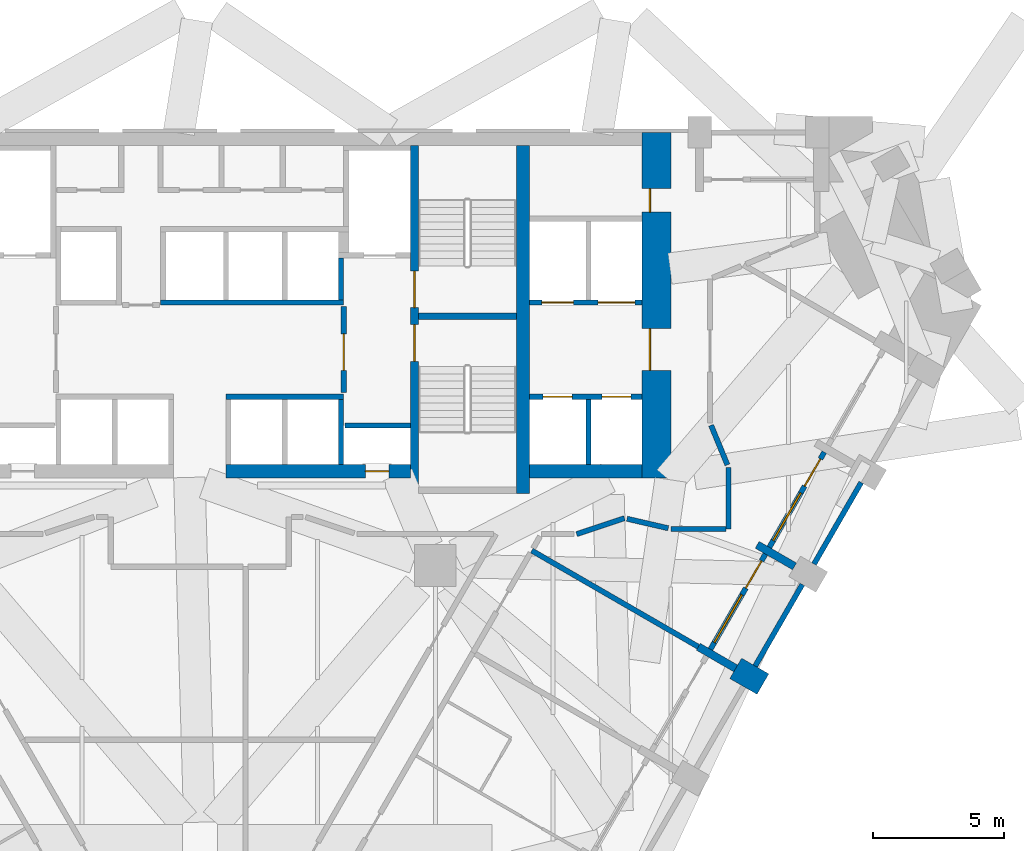
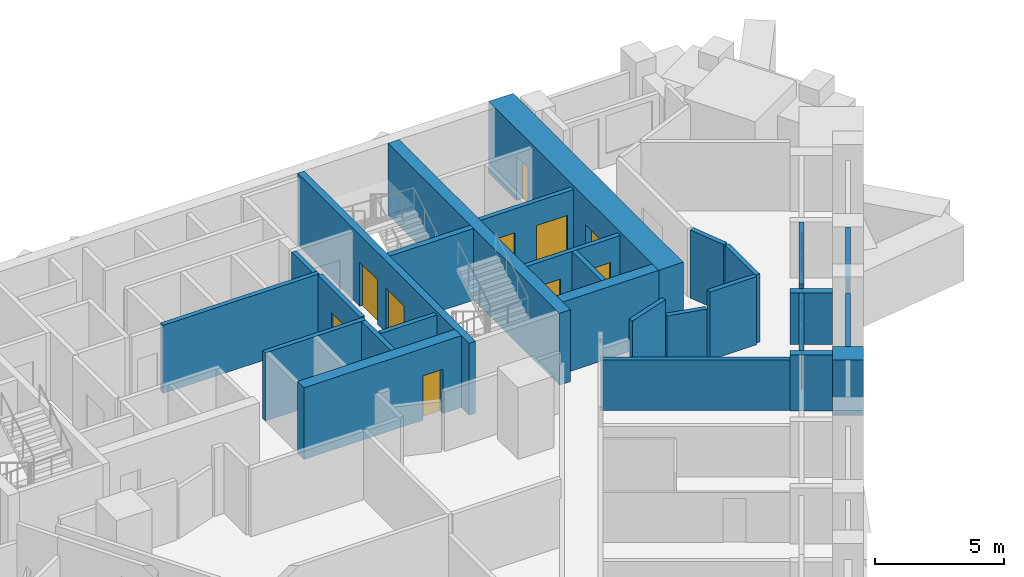
# One storey, part 9 of 12: 28 walls, 12 doors, 2 windows, 14 openings.
"""IFC4 building model written with IfcOpenShell, lengths in metres."""

from ifc_helpers import new_model, si_unit, direction, frame, frame_2d, origin, place, context, subcontext, project, spatial, polyline, rectangle, outline, extrude, material, layer, layer_set, type_object, element, fill, save


model = new_model("IFC4")

# Units and contexts
model_context = context("Model", 3, precision=1e-05, world=origin(), true_north=direction((0.0, 1.0)))
body_context = subcontext(model_context, "Body", "Model", "MODEL_VIEW")
ifc_project = project(units=[si_unit("LENGTHUNIT", "METRE"), si_unit("AREAUNIT", "SQUARE_METRE"), si_unit("VOLUMEUNIT", "CUBIC_METRE"), si_unit("PLANEANGLEUNIT", "RADIAN"), si_unit("MASSUNIT", "GRAM", prefix="KILO")], contexts=[model_context])

# Site, building, storey
site_placement = place(None, origin())
site = spatial("IfcSite", under=ifc_project, at=site_placement, CompositionType="ELEMENT")
building_placement = place(site_placement, origin())
building = spatial("IfcBuilding", under=site, at=building_placement, Name="Calabash Gate Tower", CompositionType="ELEMENT")
storey_placement = place(building_placement, frame((0.0, 0.0, 46.0)))
storey = spatial("IfcBuildingStorey", under=building, at=storey_placement, Name="L06", CompositionType="ELEMENT", Elevation=46.0)

# Walls
ifc_material_1 = material(Name="Terracotta brick masonry, exposed face", Category="masonry")
ifc_layer_1 = layer(ifc_material_1, 1.199951171875)
ifc_layer_set_1 = layer_set([ifc_layer_1], Name="Brick end wall 1200")
wall_type_1 = type_object("IfcWallType", Name="Brick end wall 1200", PredefinedType="SOLIDWALL", material=ifc_layer_set_1)
wall_1_placement = place(storey_placement, frame((21.51953125, -2.031982421875, 0.0), z_axis=(0.0, 0.0, 1.0), x_axis=(-0.866043267704, 0.499969057507, 0.0)))
element("IfcWall", 1, at=wall_1_placement, inside=storey, type_object=wall_type_1, Name="Brick pier S01 SE2.7", PredefinedType="SOLIDWALL", context=body_context, shape_type="SweptSolid", body=[
    extrude(rectangle(XDim=1.19970703125, YDim=0.89990234375, at=frame_2d((0.599853515625, 0.0))), origin(), (0.0, 0.0, 1.0), 2.6298828125),
])
ifc_material_2 = material(Name="Terracotta brick masonry, exposed face", Category="masonry")
ifc_layer_2 = layer(ifc_material_2, 0.300048828125)
ifc_layer_set_2 = layer_set([ifc_layer_2], Name="Brick loggia cheek wall 300")
wall_type_2 = type_object("IfcWallType", Name="Brick loggia cheek wall 300", PredefinedType="SOLIDWALL", material=ifc_layer_set_2)
wall_2_placement = place(storey_placement, frame((20.48046875, -1.43212890625, 0.0), z_axis=(0.0, 0.0, 1.0), x_axis=(-0.865976140824, 0.500085316245, 0.0)))
element("IfcWall", 2, at=wall_2_placement, inside=storey, type_object=wall_type_2, Name="Loggia cheek S01 SE2.7", PredefinedType="SOLIDWALL", context=body_context, shape_type="SweptSolid", body=[
    extrude(rectangle(XDim=1.650146484375, YDim=0.300048828125, at=frame_2d((0.8251953125, 0.0))), origin(), (0.0, 0.0, 1.0), 2.64990234375),
])
wall_3_placement = place(storey_placement, frame((21.301513671875, 3.2900390625, 0.0), z_axis=(0.0, 0.0, 1.0), x_axis=(0.866020385251, -0.500008692254, 0.0)))
element("IfcWall", 3, at=wall_3_placement, inside=storey, type_object=wall_type_2, Name="Loggia cheek S01 SE2.8", PredefinedType="SOLIDWALL", context=body_context, shape_type="SweptSolid", body=[
    extrude(rectangle(XDim=1.64892578125, YDim=0.300048828125, at=frame_2d((0.824462890625, 0.0))), origin(), (0.0, 0.0, 1.0), 2.4501953125),
])

# Wall, openings, doors
ifc_material_3 = material(Name="Concrete C80/95", Category="concrete")
ifc_layer_3 = layer(ifc_material_3, 1.10009765625)
ifc_layer_set_3 = layer_set([ifc_layer_3], Name="Core wall 1100 Concrete C80/95")
wall_type_3 = type_object("IfcWallType", Name="Core wall 1100 Concrete C80/95", PredefinedType="SHEAR", material=ifc_layer_set_3)
wall_4_placement = place(storey_placement, frame((17.449951171875, 5.8525390625, 0.0), z_axis=(0.0, 0.0, 1.0), x_axis=(0.0, 1.0, 0.0)))
wall_4 = element("IfcWall", 4, at=wall_4_placement, inside=storey, type_object=wall_type_3, Name="Core wall Z1-ENDE L06", PredefinedType="SHEAR", context=body_context, shape_type="SweptSolid", body=[
    extrude(rectangle(XDim=13.199951171875, YDim=1.10009765625, at=frame_2d((6.60009765625, 0.0))), origin(), (0.0, 0.0, 1.0), 3.39990234375),
])
opening_1_placement = place(wall_4_placement, frame((4.10009765625, 0.0, 0.0)))
opening_1 = element("IfcOpeningElement", 5, at=opening_1_placement, cuts=wall_4, Name="Opening H1-002", PredefinedType="OPENING", context=body_context, shape_type="SweptSolid", body=[
    extrude(rectangle(XDim=1.60009765625, YDim=2.10009765625, at=frame_2d((0.800048828125, 1.050048828125))), frame((0.0, 0.56005859375, 0.0), z_axis=(0.0, -1.0, 0.0), x_axis=(1.0, 0.0, 0.0)), (0.0, 0.0, 1.0), 1.1201171875),
])
opening_2_placement = place(wall_4_placement, frame((10.14990234375, 0.0, 0.0)))
opening_2 = element("IfcOpeningElement", 6, at=opening_2_placement, cuts=wall_4, Name="Opening H1-001", PredefinedType="OPENING", context=body_context, shape_type="SweptSolid", body=[
    extrude(rectangle(XDim=0.89990234375, YDim=2.10009765625, at=frame_2d((0.449951171875, 1.050048828125))), frame((0.0, 0.56005859375, 0.0), z_axis=(0.0, -1.0, 0.0), x_axis=(1.0, 0.0, 0.0)), (0.0, 0.0, 1.0), 1.1201171875),
])
ifc_material_4 = material(Name="Steel fire door set with fire-resisting glazing", Category="steel")
door_type_1 = type_object("IfcDoorType", Name="Double fire door D08 1600x2100 FD60", OperationType="DOUBLE_DOOR_SINGLE_SWING", PredefinedType="DOOR", material=ifc_material_4)
door_1_placement = place(opening_1_placement, origin())
door_1 = element("IfcDoor", 7, at=door_1_placement, inside=storey, type_object=door_type_1, Name="Low-rise Lift Lobby E door", OperationType="DOUBLE_DOOR_SINGLE_SWING", OverallHeight=2.10009765625, OverallWidth=1.60009765625, PredefinedType="DOOR", context=body_context, shape_type="SweptSolid", body=[
    extrude(rectangle(XDim=1.60009765625, YDim=2.10009765625, at=frame_2d((0.800048828125, 1.050048828125))), frame((0.0, 0.27490234375, 0.0), z_axis=(0.0, -1.0, 0.0), x_axis=(1.0, 0.0, 0.0)), (0.0, 0.0, 1.0), 0.050048828125),
])
fill(opening_1, door_1)
ifc_material_5 = material(Name="Steel fire door set with fire-resisting glazing", Category="steel")
door_type_2 = type_object("IfcDoorType", Name="Fire door D06 900x2100 FD60", OperationType="NOTDEFINED", PredefinedType="DOOR", material=ifc_material_5)
door_2_placement = place(opening_2_placement, origin())
door_2 = element("IfcDoor", 8, at=door_2_placement, inside=storey, type_object=door_type_2, Name="Cleaner's Store door", OperationType="SINGLE_SWING_LEFT", OverallHeight=2.10009765625, OverallWidth=0.89990234375, PredefinedType="DOOR", context=body_context, shape_type="SweptSolid", body=[
    extrude(rectangle(XDim=0.89990234375, YDim=2.10009765625, at=frame_2d((0.449951171875, 1.050048828125))), frame((0.0, 0.27490234375, 0.0), z_axis=(0.0, -1.0, 0.0), x_axis=(1.0, 0.0, 0.0)), (0.0, 0.0, 1.0), 0.050048828125),
])
fill(opening_2, door_2)

# Wall
ifc_material_6 = material(Name="Concrete C80/95", Category="concrete")
ifc_layer_4 = layer(ifc_material_6, 0.25)
ifc_layer_set_4 = layer_set([ifc_layer_4], Name="Core wall 250 Concrete C80/95")
wall_type_4 = type_object("IfcWallType", Name="Core wall 250 Concrete C80/95", PredefinedType="SHEAR", material=ifc_layer_set_4)
wall_5_placement = place(storey_placement, frame((8.35009765625, 12.027587890625, 0.0), z_axis=(0.0, 0.0, 1.0), x_axis=(1.0, 0.0, 0.0)))
element("IfcWall", 9, at=wall_5_placement, inside=storey, type_object=wall_type_4, Name="Core wall Z1-MIDE L06", PredefinedType="SHEAR", context=body_context, shape_type="SweptSolid", body=[
    extrude(rectangle(XDim=3.75, YDim=0.25, at=frame_2d((1.875, 0.0))), origin(), (0.0, 0.0, 1.0), 3.39990234375),
])

# Wall, openings, doors
ifc_material_7 = material(Name="Concrete C80/95", Category="concrete")
ifc_layer_5 = layer(ifc_material_7, 0.300048828125)
ifc_layer_set_5 = layer_set([ifc_layer_5], Name="Core wall 300 Concrete C80/95")
wall_type_5 = type_object("IfcWallType", Name="Core wall 300 Concrete C80/95", PredefinedType="SHEAR", material=ifc_layer_set_5)
wall_6_placement = place(storey_placement, frame((8.199951171875, 5.252685546875, 0.0), z_axis=(0.0, 0.0, 1.0), x_axis=(0.0, 1.0, 0.0)))
wall_6 = element("IfcWall", 10, at=wall_6_placement, inside=storey, type_object=wall_type_5, Name="Core wall Z1-PARTE L06", PredefinedType="SHEAR", context=body_context, shape_type="SweptSolid", body=[
    extrude(rectangle(XDim=13.2998046875, YDim=0.300048828125, at=frame_2d((6.64990234375, 0.0))), origin(), (0.0, 0.0, 1.0), 3.39990234375),
])
opening_3_placement = place(wall_6_placement, frame((7.10009765625, 0.0, 0.0)))
opening_3 = element("IfcOpeningElement", 11, at=opening_3_placement, cuts=wall_6, Name="Opening H1-016", PredefinedType="OPENING", context=body_context, shape_type="SweptSolid", body=[
    extrude(rectangle(XDim=1.39990234375, YDim=2.10009765625, at=frame_2d((0.699951171875, 1.050048828125))), frame((0.0, 0.159912109375, 0.0), z_axis=(0.0, -1.0, 0.0), x_axis=(1.0, 0.0, 0.0)), (0.0, 0.0, 1.0), 0.320068359375),
])
opening_4_placement = place(wall_6_placement, frame((5.050048828125, 0.0, 0.0)))
opening_4 = element("IfcOpeningElement", 12, at=opening_4_placement, cuts=wall_6, Name="Opening H1-017", PredefinedType="OPENING", context=body_context, shape_type="SweptSolid", body=[
    extrude(rectangle(XDim=1.39990234375, YDim=2.10009765625, at=frame_2d((0.699951171875, 1.050048828125))), frame((0.0, 0.159912109375, 0.0), z_axis=(0.0, -1.0, 0.0), x_axis=(1.0, 0.0, 0.0)), (0.0, 0.0, 1.0), 0.320068359375),
])
ifc_material_8 = material(Name="Steel fire door set with fire-resisting glazing", Category="steel")
door_type_3 = type_object("IfcDoorType", Name="Fire door D05 1400x2100 FD90", OperationType="NOTDEFINED", PredefinedType="DOOR", material=ifc_material_8)
door_3_placement = place(opening_3_placement, origin())
door_3 = element("IfcDoor", 13, at=door_3_placement, inside=storey, type_object=door_type_3, Name="Exit stair door ST3", OperationType="SINGLE_SWING_RIGHT", OverallHeight=2.10009765625, OverallWidth=1.39990234375, PredefinedType="DOOR", context=body_context, shape_type="SweptSolid", body=[
    extrude(rectangle(XDim=1.39990234375, YDim=2.10009765625, at=frame_2d((0.699951171875, 1.050048828125))), frame((0.0, 0.02490234375, 0.0), z_axis=(0.0, -1.0, 0.0), x_axis=(1.0, 0.0, 0.0)), (0.0, 0.0, 1.0), 0.050048828125),
])
fill(opening_3, door_3)
door_4_placement = place(opening_4_placement, origin())
door_4 = element("IfcDoor", 14, at=door_4_placement, inside=storey, type_object=door_type_3, Name="Exit stair door ST4", OperationType="SINGLE_SWING_LEFT", OverallHeight=2.10009765625, OverallWidth=1.39990234375, PredefinedType="DOOR", context=body_context, shape_type="SweptSolid", body=[
    extrude(rectangle(XDim=1.39990234375, YDim=2.10009765625, at=frame_2d((0.699951171875, 1.050048828125))), frame((0.0, 0.02490234375, 0.0), z_axis=(0.0, -1.0, 0.0), x_axis=(1.0, 0.0, 0.0)), (0.0, 0.0, 1.0), 0.050048828125),
])
fill(opening_4, door_4)

# Wall
ifc_material_9 = material(Name="Concrete C80/95", Category="concrete")
ifc_layer_6 = layer(ifc_material_9, 0.5)
ifc_layer_set_6 = layer_set([ifc_layer_6], Name="Core wall 500 Concrete C80/95")
wall_type_6 = type_object("IfcWallType", Name="Core wall 500 Concrete C80/95", PredefinedType="SHEAR", material=ifc_layer_set_6)
wall_7_placement = place(storey_placement, frame((12.35009765625, 5.252685546875, 0.0), z_axis=(0.0, 0.0, 1.0), x_axis=(0.0, 1.0, 0.0)))
element("IfcWall", 15, at=wall_7_placement, inside=storey, type_object=wall_type_6, Name="Core wall Z1-COLE L06", PredefinedType="SHEAR", context=body_context, shape_type="SweptSolid", body=[
    extrude(rectangle(XDim=13.2998046875, YDim=0.5, at=frame_2d((6.64990234375, 0.0))), origin(), (0.0, 0.0, 1.0), 3.39990234375),
])

# Wall, opening, door
wall_8_placement = place(storey_placement, frame((1.0, 6.1025390625, 0.0), z_axis=(0.0, 0.0, 1.0), x_axis=(1.0, 0.0, 0.0)))
wall_8 = element("IfcWall", 16, at=wall_8_placement, inside=storey, type_object=wall_type_6, Name="Core wall Z1-SB L06", PredefinedType="SHEAR", context=body_context, shape_type="SweptSolid", body=[
    extrude(rectangle(XDim=7.050048828125, YDim=0.5, at=frame_2d((3.52490234375, 0.0))), origin(), (0.0, 0.0, 1.0), 3.39990234375),
])
opening_5_placement = place(wall_8_placement, frame((5.324951171875, 0.0, 0.0)))
opening_5 = element("IfcOpeningElement", 17, at=opening_5_placement, cuts=wall_8, Name="Opening H1-012", PredefinedType="OPENING", context=body_context, shape_type="SweptSolid", body=[
    extrude(rectangle(XDim=0.89990234375, YDim=2.10009765625, at=frame_2d((0.449951171875, 1.050048828125))), frame((0.0, 0.260009765625, 0.0), z_axis=(0.0, -1.0, 0.0), x_axis=(1.0, 0.0, 0.0)), (0.0, 0.0, 1.0), 0.52001953125),
])
ifc_material_10 = material(Name="Steel fire door set with fire-resisting glazing", Category="steel")
door_type_4 = type_object("IfcDoorType", Name="Fire door D07 900x2100 FD90", OperationType="NOTDEFINED", PredefinedType="DOOR", material=ifc_material_10)
door_5_placement = place(opening_5_placement, origin())
door_5 = element("IfcDoor", 18, at=door_5_placement, inside=storey, type_object=door_type_4, Name="Mechanical Riser E door", OperationType="SINGLE_SWING_RIGHT", OverallHeight=2.10009765625, OverallWidth=0.89990234375, PredefinedType="DOOR", context=body_context, shape_type="SweptSolid", body=[
    extrude(rectangle(XDim=0.89990234375, YDim=2.10009765625, at=frame_2d((0.449951171875, 1.050048828125))), frame((0.0, 0.02490234375, 0.0), z_axis=(0.0, -1.0, 0.0), x_axis=(1.0, 0.0, 0.0)), (0.0, 0.0, 1.0), 0.050048828125),
])
fill(opening_5, door_5)

# Walls
wall_9_placement = place(storey_placement, frame((12.60009765625, 6.1025390625, 0.0), z_axis=(0.0, 0.0, 1.0), x_axis=(1.0, 0.0, 0.0)))
element("IfcWall", 19, at=wall_9_placement, inside=storey, type_object=wall_type_6, Name="Core wall Z1-SE L06", PredefinedType="SHEAR", context=body_context, shape_type="SweptSolid", body=[
    extrude(rectangle(XDim=4.2998046875, YDim=0.5, at=frame_2d((2.14990234375, 0.0))), origin(), (0.0, 0.0, 1.0), 3.39990234375),
])
ifc_material_11 = material(Name="Gypsum board on steel studs, mineral wool", Category="steel")
ifc_layer_7 = layer(ifc_material_11, 0.199951171875)
ifc_layer_set_7 = layer_set([ifc_layer_7], Name="Partition 200 gypsum board EI 60")
wall_type_7 = type_object("IfcWallType", Name="Partition 200 gypsum board EI 60", PredefinedType="PARTITIONING", material=ifc_layer_set_7)
wall_10_placement = place(storey_placement, frame((12.6875, 3.0693359375, 0.0), z_axis=(0.0, 0.0, 1.0), x_axis=(0.86592997719, -0.500165247297, 0.0)))
element("IfcWall", 20, at=wall_10_placement, inside=storey, type_object=wall_type_7, Name="Partition", PredefinedType="PARTITIONING", context=body_context, shape_type="SweptSolid", body=[
    extrude(rectangle(XDim=7.349609375, YDim=0.199951171875, at=frame_2d((3.6748046875, 0.0))), origin(), (0.0, 0.0, 1.0), 2.384033203125),
])
wall_11_placement = place(storey_placement, frame((18.0, 3.8994140625, 0.0), z_axis=(0.0, 0.0, 1.0), x_axis=(0.999999993244, 0.000116238521, 0.0)))
element("IfcWall", 21, at=wall_11_placement, inside=storey, type_object=wall_type_7, Name="Partition", PredefinedType="PARTITIONING", context=body_context, shape_type="SweptSolid", body=[
    extrude(rectangle(XDim=2.100341796875, YDim=0.199951171875, at=frame_2d((1.05029296875, 0.0))), origin(), (0.0, 0.0, 1.0), 3.22998046875),
])
wall_12_placement = place(storey_placement, frame((16.325927734375, 4.28662109375, 0.0), z_axis=(0.0, 0.0, 1.0), x_axis=(0.974302124523, -0.225245133464, 0.0)))
element("IfcWall", 22, at=wall_12_placement, inside=storey, type_object=wall_type_7, Name="Partition", PredefinedType="PARTITIONING", context=body_context, shape_type="SweptSolid", body=[
    extrude(rectangle(XDim=1.6181640625, YDim=0.199951171875, at=frame_2d((0.80908203125, 0.0))), origin(), (0.0, 0.0, 1.0), 2.4501953125),
])
wall_13_placement = place(storey_placement, frame((14.400146484375, 3.699462890625, 0.0), z_axis=(0.0, 0.0, 1.0), x_axis=(0.948657960303, 0.316303769112, 0.0)))
element("IfcWall", 23, at=wall_13_placement, inside=storey, type_object=wall_type_7, Name="Partition", PredefinedType="PARTITIONING", context=body_context, shape_type="SweptSolid", body=[
    extrude(rectangle(XDim=1.92724609375, YDim=0.199951171875, at=frame_2d((0.963623046875, 0.0))), origin(), (0.0, 0.0, 1.0), 3.22998046875),
])
wall_14_placement = place(storey_placement, frame((20.200439453125, 3.899658203125, 0.0), z_axis=(0.0, 0.0, 1.0), x_axis=(0.0, 1.0, 0.0)))
element("IfcWall", 24, at=wall_14_placement, inside=storey, type_object=wall_type_7, Name="Partition", PredefinedType="PARTITIONING", context=body_context, shape_type="SweptSolid", body=[
    extrude(rectangle(XDim=2.35302734375, YDim=0.199951171875, at=frame_2d((1.176513671875, 0.0))), origin(), (0.0, 0.0, 1.0), 3.22998046875),
])
wall_15_placement = place(storey_placement, frame((19.53857421875, 7.860107421875, 0.0), z_axis=(0.0, 0.0, 1.0), x_axis=(0.380749805254, -0.924678098475, 0.0)))
element("IfcWall", 25, at=wall_15_placement, inside=storey, type_object=wall_type_7, Name="Partition", PredefinedType="PARTITIONING", context=body_context, shape_type="SweptSolid", body=[
    extrude(rectangle(XDim=1.63818359375, YDim=0.199951171875, at=frame_2d((0.819091796875, 0.0))), origin(), (0.0, 0.0, 1.0), 3.22998046875),
])
ifc_material_12 = material(Name="Concrete C40/50", Category="concrete")
ifc_layer_8 = layer(ifc_material_12, 0.199951171875)
ifc_layer_set_8 = layer_set([ifc_layer_8], Name="Shaft wall 200 Concrete C40/50")
wall_type_8 = type_object("IfcWallType", Name="Shaft wall 200 Concrete C40/50", PredefinedType="SOLIDWALL", material=ifc_layer_set_8)
for number, where, z_axis, x_axis, name in (
    (26, (5.39990234375, 6.3525390625, 0.0), (0.0, 0.0, 1.0), (0.0, 1.0, 0.0), "Shaft wall"),
    (27, (14.85009765625, 6.3525390625, 0.0), (0.0, 0.0, 1.0), (0.0, 1.0, 0.0), "Shaft wall"),
    (28, (5.550048828125, 7.8525390625, 0.0), (0.0, 0.0, 1.0), (1.0, 0.0, 0.0), "Shaft wall"),
):
    element("IfcWall", number, at=place(storey_placement, frame(where, z_axis=z_axis, x_axis=x_axis)), inside=storey, type_object=wall_type_8, Name=name, PredefinedType="SOLIDWALL", context=body_context, shape_type="SweptSolid", body=[
        extrude(rectangle(XDim=2.5, YDim=0.199951171875, at=frame_2d((1.25, 0.0))), origin(), (0.0, 0.0, 1.0), 3.22998046875),
    ])
wall_16_placement = place(storey_placement, frame((1.0, 8.95263671875, 0.0), z_axis=(0.0, 0.0, 1.0), x_axis=(1.0, 0.0, 0.0)))
element("IfcWall", 29, at=wall_16_placement, inside=storey, type_object=wall_type_8, Name="Shaft wall", PredefinedType="SOLIDWALL", context=body_context, shape_type="SweptSolid", body=[
    extrude(rectangle(XDim=4.5, YDim=0.199951171875, at=frame_2d((2.25, 0.0))), origin(), (0.0, 0.0, 1.0), 3.22998046875),
])

# Wall, openings, doors
wall_17_placement = place(storey_placement, frame((12.60009765625, 8.95263671875, 0.0), z_axis=(0.0, 0.0, 1.0), x_axis=(1.0, 0.0, 0.0)))
wall_17 = element("IfcWall", 30, at=wall_17_placement, inside=storey, type_object=wall_type_8, Name="Shaft wall", PredefinedType="SOLIDWALL", context=body_context, shape_type="SweptSolid", body=[
    extrude(rectangle(XDim=4.2998046875, YDim=0.199951171875, at=frame_2d((2.14990234375, 0.0))), origin(), (0.0, 0.0, 1.0), 3.22998046875),
])
opening_6_placement = place(wall_17_placement, frame((0.52490234375, 0.0, 0.0)))
opening_6 = element("IfcOpeningElement", 31, at=opening_6_placement, cuts=wall_17, Name="Opening LD-LR5", PredefinedType="OPENING", context=body_context, shape_type="SweptSolid", body=[
    extrude(rectangle(XDim=1.10009765625, YDim=2.10009765625, at=frame_2d((0.550048828125, 1.050048828125))), frame((0.0, 0.10986328125, 0.0), z_axis=(0.0, -1.0, 0.0), x_axis=(1.0, 0.0, 0.0)), (0.0, 0.0, 1.0), 0.219970703125),
])
opening_7_placement = place(wall_17_placement, frame((2.77490234375, 0.0, 0.0)))
opening_7 = element("IfcOpeningElement", 32, at=opening_7_placement, cuts=wall_17, Name="Opening LD-LR6", PredefinedType="OPENING", context=body_context, shape_type="SweptSolid", body=[
    extrude(rectangle(XDim=1.10009765625, YDim=2.10009765625, at=frame_2d((0.550048828125, 1.050048828125))), frame((0.0, 0.10986328125, 0.0), z_axis=(0.0, -1.0, 0.0), x_axis=(1.0, 0.0, 0.0)), (0.0, 0.0, 1.0), 0.219970703125),
])
ifc_material_13 = material(Name="Stainless steel sliding door leaves", Category="steel")
door_type_5 = type_object("IfcDoorType", Name="Lift landing door LS1 1100x2100 FD90", OperationType="DOUBLE_DOOR_SLIDING", PredefinedType="DOOR", material=ifc_material_13)
door_6_placement = place(opening_6_placement, origin())
door_6 = element("IfcDoor", 33, at=door_6_placement, inside=storey, type_object=door_type_5, Name="Lift landing door LR5", OperationType="DOUBLE_DOOR_SLIDING", OverallHeight=2.10009765625, OverallWidth=1.10009765625, PredefinedType="DOOR", context=body_context, shape_type="SweptSolid", body=[
    extrude(rectangle(XDim=1.10009765625, YDim=2.10009765625, at=frame_2d((0.550048828125, 1.050048828125))), frame((0.0, 0.02490234375, 0.0), z_axis=(0.0, -1.0, 0.0), x_axis=(1.0, 0.0, 0.0)), (0.0, 0.0, 1.0), 0.050048828125),
])
fill(opening_6, door_6)
door_7_placement = place(opening_7_placement, origin())
door_7 = element("IfcDoor", 34, at=door_7_placement, inside=storey, type_object=door_type_5, Name="Lift landing door LR6", OperationType="DOUBLE_DOOR_SLIDING", OverallHeight=2.10009765625, OverallWidth=1.10009765625, PredefinedType="DOOR", context=body_context, shape_type="SweptSolid", body=[
    extrude(rectangle(XDim=1.10009765625, YDim=2.10009765625, at=frame_2d((0.550048828125, 1.050048828125))), frame((0.0, 0.02490234375, 0.0), z_axis=(0.0, -1.0, 0.0), x_axis=(1.0, 0.0, 0.0)), (0.0, 0.0, 1.0), 0.050048828125),
])
fill(opening_7, door_7)

# Wall, opening, door
wall_18_placement = place(storey_placement, frame((5.5, 9.1025390625, 0.0), z_axis=(0.0, 0.0, 1.0), x_axis=(0.0, 1.0, 0.0)))
wall_18 = element("IfcWall", 35, at=wall_18_placement, inside=storey, type_object=wall_type_8, Name="Shaft wall", PredefinedType="SOLIDWALL", context=body_context, shape_type="SweptSolid", body=[
    extrude(rectangle(XDim=3.300048828125, YDim=0.199951171875, at=frame_2d((1.64990234375, 0.0))), origin(), (0.0, 0.0, 1.0), 3.22998046875),
])
opening_8_placement = place(wall_18_placement, frame((0.85009765625, 0.0, 0.0)))
opening_8 = element("IfcOpeningElement", 36, at=opening_8_placement, cuts=wall_18, Name="Opening H1-006", PredefinedType="OPENING", context=body_context, shape_type="SweptSolid", body=[
    extrude(rectangle(XDim=1.39990234375, YDim=2.10009765625, at=frame_2d((0.699951171875, 1.050048828125))), frame((0.0, 0.10986328125, 0.0), z_axis=(0.0, -1.0, 0.0), x_axis=(1.0, 0.0, 0.0)), (0.0, 0.0, 1.0), 0.219970703125),
])
door_8_placement = place(opening_8_placement, origin())
door_8 = element("IfcDoor", 37, at=door_8_placement, inside=storey, type_object=door_type_3, Name="Firefighting Lobby E door", OperationType="SINGLE_SWING_LEFT", OverallHeight=2.10009765625, OverallWidth=1.39990234375, PredefinedType="DOOR", context=body_context, shape_type="SweptSolid", body=[
    extrude(rectangle(XDim=1.39990234375, YDim=2.10009765625, at=frame_2d((0.699951171875, 1.050048828125))), frame((0.0, 0.02490234375, 0.0), z_axis=(0.0, -1.0, 0.0), x_axis=(1.0, 0.0, 0.0)), (0.0, 0.0, 1.0), 0.050048828125),
])
fill(opening_8, door_8)

# Wall
wall_19_placement = place(storey_placement, frame((-1.5, 12.552490234375, 0.0), z_axis=(0.0, 0.0, 1.0), x_axis=(1.0, 0.0, 0.0)))
element("IfcWall", 38, at=wall_19_placement, inside=storey, type_object=wall_type_8, Name="Shaft wall", PredefinedType="SOLIDWALL", context=body_context, shape_type="SweptSolid", body=[
    extrude(rectangle(XDim=7.0, YDim=0.199951171875, at=frame_2d((3.5, 0.0))), origin(), (0.0, 0.0, 1.0), 3.22998046875),
])

# Wall, openings, doors
wall_20_placement = place(storey_placement, frame((12.60009765625, 12.552490234375, 0.0), z_axis=(0.0, 0.0, 1.0), x_axis=(1.0, 0.0, 0.0)))
wall_20 = element("IfcWall", 39, at=wall_20_placement, inside=storey, type_object=wall_type_8, Name="Shaft wall", PredefinedType="SOLIDWALL", context=body_context, shape_type="SweptSolid", body=[
    extrude(rectangle(XDim=4.2998046875, YDim=0.199951171875, at=frame_2d((2.14990234375, 0.0))), origin(), (0.0, 0.0, 1.0), 3.22998046875),
])
opening_9_placement = place(wall_20_placement, frame((0.47509765625, 0.0, 0.0)))
opening_9 = element("IfcOpeningElement", 40, at=opening_9_placement, cuts=wall_20, Name="Opening LD-SL1", PredefinedType="OPENING", context=body_context, shape_type="SweptSolid", body=[
    extrude(rectangle(XDim=1.199951171875, YDim=2.10009765625, at=frame_2d((0.60009765625, 1.050048828125))), frame((0.0, 0.10986328125, 0.0), z_axis=(0.0, -1.0, 0.0), x_axis=(1.0, 0.0, 0.0)), (0.0, 0.0, 1.0), 0.219970703125),
])
opening_10_placement = place(wall_20_placement, frame((2.625, 0.0, 0.0)))
opening_10 = element("IfcOpeningElement", 41, at=opening_10_placement, cuts=wall_20, Name="Opening LD-GL1", PredefinedType="OPENING", context=body_context, shape_type="SweptSolid", body=[
    extrude(rectangle(XDim=1.39990234375, YDim=2.10009765625, at=frame_2d((0.699951171875, 1.050048828125))), frame((0.0, 0.10986328125, 0.0), z_axis=(0.0, -1.0, 0.0), x_axis=(1.0, 0.0, 0.0)), (0.0, 0.0, 1.0), 0.219970703125),
])
ifc_material_14 = material(Name="Stainless steel sliding door leaves", Category="steel")
door_type_6 = type_object("IfcDoorType", Name="Lift landing door LS3 1200x2100 FD90", OperationType="DOUBLE_DOOR_SLIDING", PredefinedType="DOOR", material=ifc_material_14)
door_9_placement = place(opening_9_placement, origin())
door_9 = element("IfcDoor", 42, at=door_9_placement, inside=storey, type_object=door_type_6, Name="Lift landing door SL1", OperationType="DOUBLE_DOOR_SLIDING", OverallHeight=2.10009765625, OverallWidth=1.199951171875, PredefinedType="DOOR", context=body_context, shape_type="SweptSolid", body=[
    extrude(rectangle(XDim=1.199951171875, YDim=2.10009765625, at=frame_2d((0.60009765625, 1.050048828125))), frame((0.0, 0.02490234375, 0.0), z_axis=(0.0, -1.0, 0.0), x_axis=(1.0, 0.0, 0.0)), (0.0, 0.0, 1.0), 0.050048828125),
])
fill(opening_9, door_9)
ifc_material_15 = material(Name="Stainless steel sliding door leaves", Category="steel")
door_type_7 = type_object("IfcDoorType", Name="Lift landing door LS4 1400x2100 FD90", OperationType="DOUBLE_DOOR_SLIDING", PredefinedType="DOOR", material=ifc_material_15)
door_10_placement = place(opening_10_placement, origin())
door_10 = element("IfcDoor", 43, at=door_10_placement, inside=storey, type_object=door_type_7, Name="Lift landing door GL1", OperationType="DOUBLE_DOOR_SLIDING", OverallHeight=2.10009765625, OverallWidth=1.39990234375, PredefinedType="DOOR", context=body_context, shape_type="SweptSolid", body=[
    extrude(rectangle(XDim=1.39990234375, YDim=2.10009765625, at=frame_2d((0.699951171875, 1.050048828125))), frame((0.0, 0.02490234375, 0.0), z_axis=(0.0, -1.0, 0.0), x_axis=(1.0, 0.0, 0.0)), (0.0, 0.0, 1.0), 0.050048828125),
])
fill(opening_10, door_10)

# Walls
wall_21_placement = place(storey_placement, frame((5.39990234375, 12.652587890625, 0.0), z_axis=(0.0, 0.0, 1.0), x_axis=(0.0, 1.0, 0.0)))
element("IfcWall", 44, at=wall_21_placement, inside=storey, type_object=wall_type_8, Name="Shaft wall", PredefinedType="SOLIDWALL", context=body_context, shape_type="SweptSolid", body=[
    extrude(rectangle(XDim=1.60009765625, YDim=0.199951171875, at=frame_2d((0.800048828125, 0.0))), origin(), (0.0, 0.0, 1.0), 3.22998046875),
])
ifc_material_16 = material(Name="Terracotta brick masonry, perforated", Category="masonry")
ifc_layer_9 = layer(ifc_material_16, 0.199951171875)
ifc_layer_set_9 = layer_set([ifc_layer_9], Name="Terracotta jaali screen A")
wall_type_9 = type_object("IfcWallType", Name="Terracotta jaali screen A", PredefinedType="SOLIDWALL", material=ifc_layer_set_9)
wall_22_placement = place(storey_placement, frame((21.22509765625, -1.34228515625, 0.0), z_axis=(0.0, 0.0, 1.0), x_axis=(0.499961193289, 0.866047807691, 0.0)))
element("IfcWall", 45, at=wall_22_placement, inside=storey, type_object=wall_type_9, Name="SCREEN A S01 SE2.8", PredefinedType="SOLIDWALL", context=body_context, shape_type="SweptSolid", body=[
    extrude(rectangle(XDim=3.599853515625, YDim=0.199951171875, at=frame_2d((1.7998046875, 0.0))), origin(), (0.0, 0.0, 1.0), 2.6298828125),
])
wall_23_placement = place(storey_placement, origin())
element("IfcWall", 46, at=wall_23_placement, inside=storey, type_object=wall_type_9, Name="SCREEN A S01 SE2.9", PredefinedType="SOLIDWALL", context=body_context, shape_type="SweptSolid", body=[
    extrude(outline(polyline([(25.1884765625, 5.722412109375), (23.38916015625, 2.606201171875), (23.5625, 2.50634765625), (25.361572265625, 5.62255859375), (25.1884765625, 5.722412109375)])), origin(), (0.0, 0.0, 1.0), 2.6298828125),
])

# Wall, openings, door, window
ifc_material_17 = material(Name="Aluminium framed window wall with insulated spandrel", Category="aluminium")
ifc_layer_10 = layer(ifc_material_17, 0.199951171875)
ifc_layer_set_10 = layer_set([ifc_layer_10], Name="Window wall 200")
wall_type_10 = type_object("IfcWallType", Name="Window wall 200", PredefinedType="ELEMENTEDWALL", material=ifc_layer_set_10)
wall_24_placement = place(storey_placement, frame((19.51611328125, -0.7021484375, 0.0), z_axis=(0.0, 0.0, 1.0), x_axis=(0.500027713859, 0.866009402589, 0.0)))
wall_24 = element("IfcWall", 47, at=wall_24_placement, inside=storey, type_object=wall_type_10, Name="Window wall S01 SE2.8", PredefinedType="ELEMENTEDWALL", context=body_context, shape_type="SweptSolid", body=[
    extrude(rectangle(XDim=4.199951171875, YDim=0.199951171875, at=frame_2d((2.10009765625, 0.0))), origin(), (0.0, 0.0, 1.0), 2.4501953125),
])
opening_11_placement = place(wall_24_placement, frame((0.300048828125, 0.0, 0.60009765625)))
opening_11 = element("IfcOpeningElement", 48, at=opening_11_placement, cuts=wall_24, Name="Opening HW1L-1750", PredefinedType="OPENING", context=body_context, shape_type="SweptSolid", body=[
    extrude(rectangle(XDim=2.10009765625, YDim=1.75, at=frame_2d((1.050048828125, 0.875))), frame((0.0, 0.10986328125, 0.0), z_axis=(0.0, -1.0, 0.0), x_axis=(1.0, 0.0, 0.0)), (0.0, 0.0, 1.0), 0.219970703125),
])
opening_12_placement = place(wall_24_placement, frame((2.699951171875, 0.0, 0.0)))
opening_12 = element("IfcOpeningElement", 49, at=opening_12_placement, cuts=wall_24, Name="Opening H1-022", PredefinedType="OPENING", context=body_context, shape_type="SweptSolid", body=[
    extrude(rectangle(XDim=1.199951171875, YDim=2.35009765625, at=frame_2d((0.60009765625, 1.175048828125))), frame((0.0, 0.10986328125, 0.0), z_axis=(0.0, -1.0, 0.0), x_axis=(1.0, 0.0, 0.0)), (0.0, 0.0, 1.0), 0.219970703125),
])
ifc_material_18 = material(Name="Anodised aluminium frame, bronze finish, impact-rated laminated clear glazing", Category="aluminium")
door_type_8 = type_object("IfcDoorType", Name="Loggia door DH1L-2350 1200x2350", OperationType="SLIDING_TO_LEFT", PredefinedType="DOOR", material=ifc_material_18)
door_11_placement = place(opening_12_placement, origin())
door_11 = element("IfcDoor", 50, at=door_11_placement, inside=storey, type_object=door_type_8, Name="Loggia door S01 SE2.8", OperationType="SINGLE_SWING_LEFT", OverallHeight=2.35009765625, OverallWidth=1.199951171875, PredefinedType="DOOR", context=body_context, shape_type="SweptSolid", body=[
    extrude(rectangle(XDim=1.199951171875, YDim=2.35009765625, at=frame_2d((0.60009765625, 1.175048828125))), frame((0.0, 0.02490234375, 0.0), z_axis=(0.0, -1.0, 0.0), x_axis=(1.0, 0.0, 0.0)), (0.0, 0.0, 1.0), 0.050048828125),
])
fill(opening_12, door_11)
ifc_material_19 = material(Name="Anodised aluminium frame, bronze finish, impact-rated laminated clear glazing", Category="aluminium")
window_type_1 = type_object("IfcWindowType", Name="Window HW1L 2100x1750", PartitioningType="DOUBLE_PANEL_VERTICAL", PredefinedType="WINDOW", material=ifc_material_19)
window_1_placement = place(opening_11_placement, origin())
window_1 = element("IfcWindow", 51, at=window_1_placement, inside=storey, type_object=window_type_1, Name="Window HW1 S01 SE2.8", OverallHeight=1.75, OverallWidth=2.10009765625, PartitioningType="SINGLE_PANEL", PredefinedType="WINDOW", context=body_context, shape_type="SweptSolid", body=[
    extrude(rectangle(XDim=2.10009765625, YDim=1.75, at=frame_2d((1.050048828125, 0.875))), frame((0.0, 0.030029296875, 0.0), z_axis=(0.0, -1.0, 0.0), x_axis=(1.0, 0.0, 0.0)), (0.0, 0.0, 1.0), 0.06005859375),
])
fill(opening_11, window_1)

wall_25_placement = place(storey_placement, frame((21.76611328125, 3.195068359375, 0.0), z_axis=(0.0, 0.0, 1.0), x_axis=(0.500027713859, 0.866009402589, 0.0)))
wall_25 = element("IfcWall", 52, at=wall_25_placement, inside=storey, type_object=wall_type_10, Name="Window wall S01 SE2.9", PredefinedType="ELEMENTEDWALL", context=body_context, shape_type="SweptSolid", body=[
    extrude(rectangle(XDim=4.199951171875, YDim=0.199951171875, at=frame_2d((2.10009765625, 0.0))), origin(), (0.0, 0.0, 1.0), 2.64990234375),
])
opening_13_placement = place(wall_25_placement, frame((0.300048828125, 0.0, 0.60009765625)))
opening_13 = element("IfcOpeningElement", 53, at=opening_13_placement, cuts=wall_25, Name="Opening HW1", PredefinedType="OPENING", context=body_context, shape_type="SweptSolid", body=[
    extrude(rectangle(XDim=2.10009765625, YDim=1.800048828125, at=frame_2d((1.050048828125, 0.89990234375))), frame((0.0, 0.10986328125, 0.0), z_axis=(0.0, -1.0, 0.0), x_axis=(1.0, 0.0, 0.0)), (0.0, 0.0, 1.0), 0.219970703125),
])
opening_14_placement = place(wall_25_placement, frame((2.699951171875, 0.0, 0.0)))
opening_14 = element("IfcOpeningElement", 54, at=opening_14_placement, cuts=wall_25, Name="Opening H1-023", PredefinedType="OPENING", context=body_context, shape_type="SweptSolid", body=[
    extrude(rectangle(XDim=1.199951171875, YDim=2.39990234375, at=frame_2d((0.60009765625, 1.199951171875))), frame((0.0, 0.10986328125, 0.0), z_axis=(0.0, -1.0, 0.0), x_axis=(1.0, 0.0, 0.0)), (0.0, 0.0, 1.0), 0.219970703125),
])
ifc_material_20 = material(Name="Anodised aluminium frame, bronze finish, impact-rated laminated clear glazing", Category="aluminium")
door_type_9 = type_object("IfcDoorType", Name="Loggia door DH1 1200x2400", OperationType="SLIDING_TO_LEFT", PredefinedType="DOOR", material=ifc_material_20)
door_12_placement = place(opening_14_placement, origin())
door_12 = element("IfcDoor", 55, at=door_12_placement, inside=storey, type_object=door_type_9, Name="Loggia door S01 SE2.9", OperationType="SINGLE_SWING_LEFT", OverallHeight=2.39990234375, OverallWidth=1.199951171875, PredefinedType="DOOR", context=body_context, shape_type="SweptSolid", body=[
    extrude(rectangle(XDim=1.199951171875, YDim=2.39990234375, at=frame_2d((0.60009765625, 1.199951171875))), frame((0.0, 0.02490234375, 0.0), z_axis=(0.0, -1.0, 0.0), x_axis=(1.0, 0.0, 0.0)), (0.0, 0.0, 1.0), 0.050048828125),
])
fill(opening_14, door_12)
ifc_material_21 = material(Name="Anodised aluminium frame, bronze finish, impact-rated laminated clear glazing", Category="aluminium")
window_type_2 = type_object("IfcWindowType", Name="Window HW1 2100x1800", PartitioningType="DOUBLE_PANEL_VERTICAL", PredefinedType="WINDOW", material=ifc_material_21)
window_2_placement = place(opening_13_placement, origin())
window_2 = element("IfcWindow", 56, at=window_2_placement, inside=storey, type_object=window_type_2, Name="Window HW1 S01 SE2.9", OverallHeight=1.800048828125, OverallWidth=2.10009765625, PartitioningType="SINGLE_PANEL", PredefinedType="WINDOW", context=body_context, shape_type="SweptSolid", body=[
    extrude(rectangle(XDim=2.10009765625, YDim=1.800048828125, at=frame_2d((1.050048828125, 0.89990234375))), frame((0.0, 0.030029296875, 0.0), z_axis=(0.0, -1.0, 0.0), x_axis=(1.0, 0.0, 0.0)), (0.0, 0.0, 1.0), 0.06005859375),
])
fill(opening_13, window_2)

save(model, "model.ifc")
